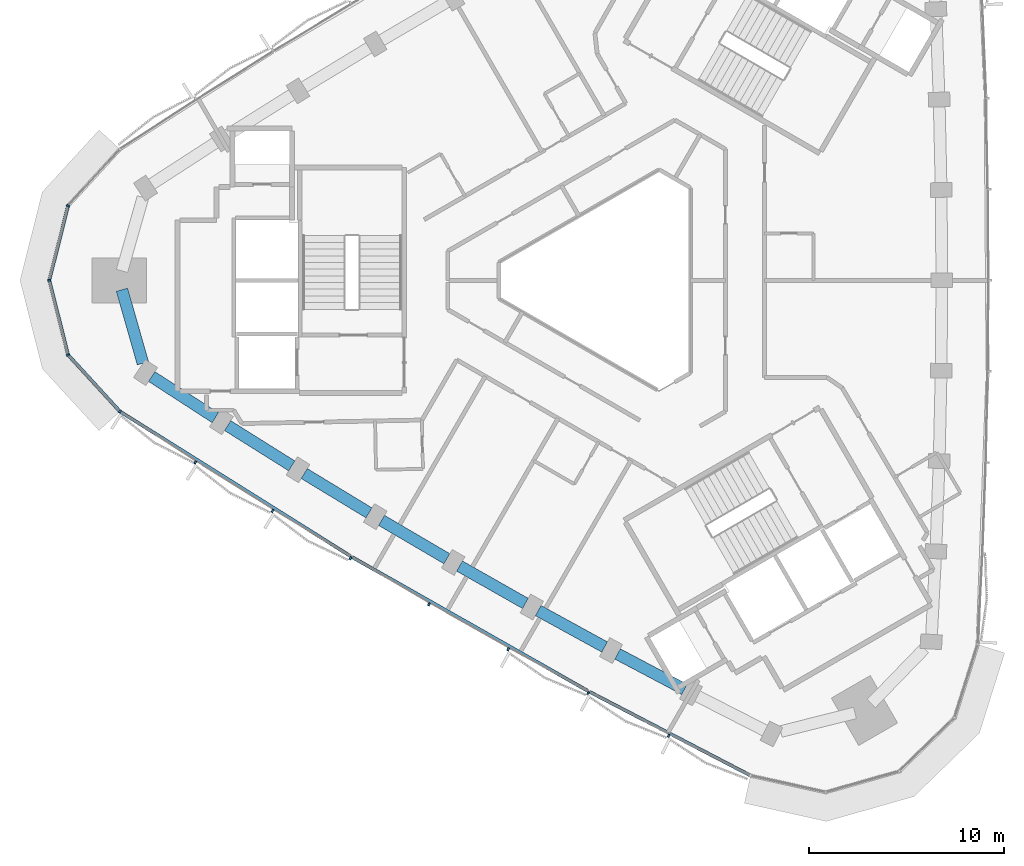
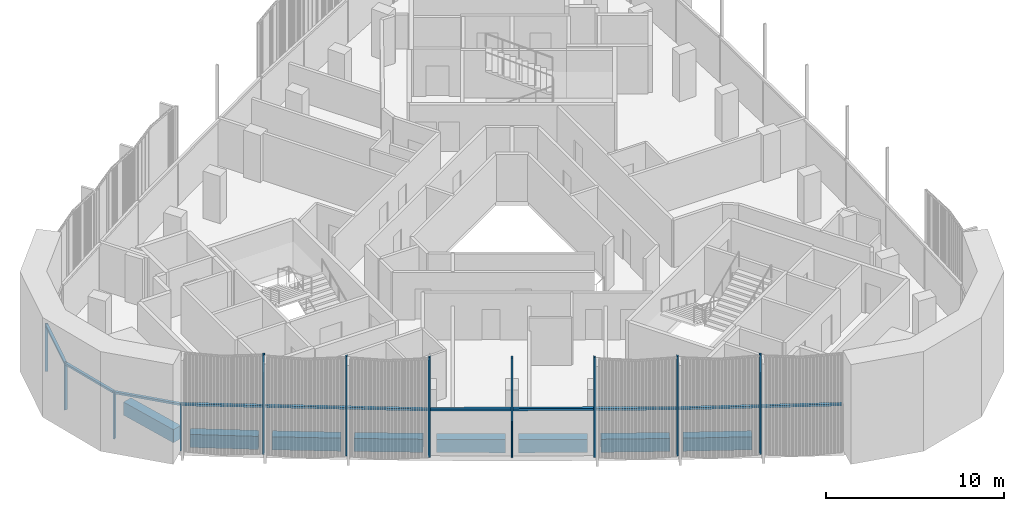
# One storey, part 2 of 16: 17 members, 8 beams, 2 elements without a shape of their own.
"""IFC4 building model written with IfcOpenShell, lengths in metres."""

from ifc_helpers import new_model, si_unit, direction, frame, origin, origin_2d, place, context, subcontext, project, spatial, rectangle, extrude, material, material_profile, profile_set, type_object, element, aggregate, save


model = new_model("IFC4")

# Units and contexts
model_context = context("Model", 3, precision=1e-05, world=origin(), true_north=direction((0.0, 1.0)))
body_context = subcontext(model_context, "Body", "Model", "MODEL_VIEW")
ifc_project = project(units=[si_unit("LENGTHUNIT", "METRE"), si_unit("AREAUNIT", "SQUARE_METRE"), si_unit("VOLUMEUNIT", "CUBIC_METRE"), si_unit("PLANEANGLEUNIT", "RADIAN"), si_unit("MASSUNIT", "GRAM", prefix="KILO")], contexts=[model_context])

# Site, building, storey
site_placement = place(None, origin())
site = spatial("IfcSite", under=ifc_project, at=site_placement, CompositionType="ELEMENT")
building_placement = place(site_placement, origin())
building = spatial("IfcBuilding", under=site, at=building_placement, Name="Tamra Quay Hotel Tower", CompositionType="ELEMENT")
storey_placement = place(building_placement, frame((0.0, 0.0, 232.199951171875)))
storey = spatial("IfcBuildingStorey", under=building, at=storey_placement, Name="L58", CompositionType="ELEMENT", Elevation=232.199951171875)

# Curtain wall, members
ifc_material_1 = material(Name="Aluminium 6063 anodised dark grey", Category="aluminium")
curtain_wall_type_1 = type_object("IfcCurtainWallType", Name="CW2 CURTAIN WALL", PredefinedType="NOTDEFINED", material=ifc_material_1)
curtain_wall_1_placement = place(storey_placement, origin())
curtain_wall_1 = element("IfcCurtainWall", 1, at=curtain_wall_1_placement, inside=storey, type_object=curtain_wall_type_1, Name="CW2 north-west face L58", PredefinedType="NOTDEFINED")
ifc_material_profile_1 = material_profile(ifc_material_1, rectangle(XDim=0.169921875, YDim=0.10009765625, at=origin_2d()), Name="MULLION 100X170")
ifc_profile_set_1 = profile_set([ifc_material_profile_1], Name="Aluminium 6063 anodised dark grey")
member_type_1 = type_object("IfcMemberType", Name="MULLION CW2 Z5", PredefinedType="MULLION", material=ifc_profile_set_1)
member_1_placement = place(storey_placement, frame((-28.0439453125, 3.812744140625, 0.0), z_axis=(0.0, 0.0, 1.0), x_axis=(-0.880266804781, 0.474479032624, 0.0)))
member_1 = element("IfcMember", 2, at=member_1_placement, type_object=member_type_1, Name="CW2 mullion L58.NW.10", PredefinedType="MULLION", context=body_context, shape_type="SweptSolid", body=[
    extrude(rectangle(XDim=0.169921875, YDim=0.10009765625, at=origin_2d()), origin(), (0.0, 0.0, 1.0), 3.25),
])
member_2_placement = place(storey_placement, frame((-29.006103515625, 0.0, 0.0), z_axis=(0.0, 0.0, 1.0), x_axis=(-1.0, 0.0, 0.0)))
member_2 = element("IfcMember", 3, at=member_2_placement, type_object=member_type_1, Name="CW2 mullion L58.NW.11", PredefinedType="MULLION", context=body_context, shape_type="SweptSolid", body=[
    extrude(rectangle(XDim=0.169921875, YDim=0.10009765625, at=origin_2d()), origin(), (0.0, 0.0, 1.0), 3.25),
])
member_3_placement = place(storey_placement, frame((-28.0439453125, -3.812744140625, 0.0), z_axis=(0.0, 0.0, 1.0), x_axis=(-0.880266804781, -0.474479032624, 0.0)))
member_3 = element("IfcMember", 4, at=member_3_placement, type_object=member_type_1, Name="CW2 mullion L58.NW.12", PredefinedType="MULLION", context=body_context, shape_type="SweptSolid", body=[
    extrude(rectangle(XDim=0.169921875, YDim=0.10009765625, at=origin_2d()), origin(), (0.0, 0.0, 1.0), 3.25),
])

curtain_wall_type_2 = type_object("IfcCurtainWallType", Name="CW3 CURTAIN WALL", PredefinedType="NOTDEFINED", material=ifc_material_1)
curtain_wall_2_placement = place(storey_placement, origin())
curtain_wall_2 = element("IfcCurtainWall", 5, at=curtain_wall_2_placement, inside=storey, type_object=curtain_wall_type_2, Name="CW3 south-west face L58", PredefinedType="NOTDEFINED")
ifc_material_profile_2 = material_profile(ifc_material_1, rectangle(XDim=0.169921875, YDim=0.10009765625, at=origin_2d()), Name="MULLION 100X170")
ifc_profile_set_2 = profile_set([ifc_material_profile_2], Name="Aluminium 6063 anodised dark grey")
member_type_2 = type_object("IfcMemberType", Name="MULLION CW3 Z5", PredefinedType="MULLION", material=ifc_profile_set_2)
member_4_placement = place(storey_placement, frame((-25.387939453125, -6.712646484375, 0.0), z_axis=(0.0, 0.0, 1.0), x_axis=(-0.64584626761, -0.763467483665, 0.0)))
member_4 = element("IfcMember", 6, at=member_4_placement, type_object=member_type_2, Name="CW3 mullion L58.SW.1", PredefinedType="MULLION", context=body_context, shape_type="SweptSolid", body=[
    extrude(rectangle(XDim=0.169921875, YDim=0.10009765625, at=origin_2d()), origin(), (0.0, 0.0, 1.0), 3.25),
])
member_5_placement = place(storey_placement, frame((-21.523193359375, -9.318603515625, 0.0), z_axis=(0.0, 0.0, 1.0), x_axis=(-0.537683846902, -0.84314653577, 0.0)))
member_5 = element("IfcMember", 7, at=member_5_placement, type_object=member_type_2, Name="CW3 mullion L58.SW.2", PredefinedType="MULLION", context=body_context, shape_type="SweptSolid", body=[
    extrude(rectangle(XDim=0.169921875, YDim=0.10009765625, at=origin_2d()), origin(), (0.0, 0.0, 1.0), 6.85009765625),
])
member_6_placement = place(storey_placement, frame((-17.573974609375, -11.79638671875, 0.0), z_axis=(0.0, 0.0, 1.0), x_axis=(-0.525248544196, -0.850948862635, 0.0)))
member_6 = element("IfcMember", 8, at=member_6_placement, type_object=member_type_2, Name="CW3 mullion L58.SW.3", PredefinedType="MULLION", context=body_context, shape_type="SweptSolid", body=[
    extrude(rectangle(XDim=0.169921875, YDim=0.10009765625, at=origin_2d()), origin(), (0.0, 0.0, 1.0), 6.85009765625),
])
member_7_placement = place(storey_placement, frame((-13.59033203125, -14.215087890625, 0.0), z_axis=(0.0, 0.0, 1.0), x_axis=(-0.512687551289, -0.858575258643, 0.0)))
member_7 = element("IfcMember", 9, at=member_7_placement, type_object=member_type_2, Name="CW3 mullion L58.SW.4", PredefinedType="MULLION", context=body_context, shape_type="SweptSolid", body=[
    extrude(rectangle(XDim=0.169921875, YDim=0.10009765625, at=origin_2d()), origin(), (0.0, 0.0, 1.0), 6.85009765625),
])
member_8_placement = place(storey_placement, frame((-9.570068359375, -16.575927734375, 0.0), z_axis=(0.0, 0.0, 1.0), x_axis=(-0.5, -0.866025403784, 0.0)))
member_8 = element("IfcMember", 10, at=member_8_placement, type_object=member_type_2, Name="CW3 mullion L58.SW.5", PredefinedType="MULLION", context=body_context, shape_type="SweptSolid", body=[
    extrude(rectangle(XDim=0.169921875, YDim=0.10009765625, at=origin_2d()), origin(), (0.0, 0.0, 1.0), 6.85009765625),
])
member_9_placement = place(storey_placement, frame((-5.515625, -18.877197265625, 0.0), z_axis=(0.0, 0.0, 1.0), x_axis=(-0.487204209401, -0.873288072942, 0.0)))
member_9 = element("IfcMember", 11, at=member_9_placement, type_object=member_type_2, Name="CW3 mullion L58.SW.6", PredefinedType="MULLION", context=body_context, shape_type="SweptSolid", body=[
    extrude(rectangle(XDim=0.169921875, YDim=0.10009765625, at=origin_2d()), origin(), (0.0, 0.0, 1.0), 6.85009765625),
])
member_10_placement = place(storey_placement, frame((-1.428955078125, -21.11767578125, 0.0), z_axis=(0.0, 0.0, 1.0), x_axis=(-0.474319060265, -0.880353013892, 0.0)))
member_10 = element("IfcMember", 12, at=member_10_placement, type_object=member_type_2, Name="CW3 mullion L58.SW.7", PredefinedType="MULLION", context=body_context, shape_type="SweptSolid", body=[
    extrude(rectangle(XDim=0.169921875, YDim=0.10009765625, at=origin_2d()), origin(), (0.0, 0.0, 1.0), 6.85009765625),
])
member_11_placement = place(storey_placement, frame((2.69140625, -23.298828125, 0.0), z_axis=(0.0, 0.0, 1.0), x_axis=(-0.461344395639, -0.887221138507, 0.0)))
member_11 = element("IfcMember", 13, at=member_11_placement, type_object=member_type_2, Name="CW3 mullion L58.SW.8", PredefinedType="MULLION", context=body_context, shape_type="SweptSolid", body=[
    extrude(rectangle(XDim=0.169921875, YDim=0.10009765625, at=origin_2d()), origin(), (0.0, 0.0, 1.0), 6.85009765625),
])

# Beams
ifc_material_2 = material(Name="Concrete M60", Category="concrete")
ifc_material_profile_3 = material_profile(ifc_material_2, rectangle(XDim=0.60009765625, YDim=0.89990234375, at=origin_2d()), Name="SPANDREL BEAM RC 600x900")
ifc_profile_set_3 = profile_set([ifc_material_profile_3], Name="Concrete M60")
beam_type = type_object("IfcBeamType", Name="SPANDREL BEAM RC 600x900", PredefinedType="SPANDREL", material=ifc_profile_set_3)
beam_1_placement = place(storey_placement, frame((-25.28369140625, -0.48046875, -0.800048828125), z_axis=(0.273913429616, -0.961754351732, 0.0), x_axis=(0.961754351732, 0.273913429616, 0.0)))
element("IfcBeam", 14, at=beam_1_placement, inside=storey, type_object=beam_type, Name="BM-SP5-019-L58", PredefinedType="SPANDREL", context=body_context, shape_type="SweptSolid", body=[
    extrude(rectangle(XDim=0.60009765625, YDim=0.89990234375, at=origin_2d()), origin(), (0.0, 0.0, 1.0), 3.912841796875),
])
beam_2_placement = place(storey_placement, frame((-23.76171875, -4.923583984375, -0.800048828125), z_axis=(0.839181205466, -0.543851914029, 0.0), x_axis=(0.543851914029, 0.839181205466, 0.0)))
element("IfcBeam", 15, at=beam_2_placement, inside=storey, type_object=beam_type, Name="BM-SP5-020-L58", PredefinedType="SPANDREL", context=body_context, shape_type="SweptSolid", body=[
    extrude(rectangle(XDim=0.60009765625, YDim=0.89990234375, at=origin_2d()), origin(), (0.0, 0.0, 1.0), 3.87548828125),
])
beam_3_placement = place(storey_placement, frame((-19.877197265625, -7.4345703125, -0.800048828125), z_axis=(0.847066119134, -0.53148752555, 0.0), x_axis=(0.53148752555, 0.847066119134, 0.0)))
element("IfcBeam", 16, at=beam_3_placement, inside=storey, type_object=beam_type, Name="BM-SP5-021-L58", PredefinedType="SPANDREL", context=body_context, shape_type="SweptSolid", body=[
    extrude(rectangle(XDim=0.60009765625, YDim=0.89990234375, at=origin_2d()), origin(), (0.0, 0.0, 1.0), 3.875),
])
beam_4_placement = place(storey_placement, frame((-15.95654296875, -9.887939453125, -0.800048828125), z_axis=(0.854785519234, -0.518981421737, 0.0), x_axis=(0.518981421737, 0.854785519234, 0.0)))
element("IfcBeam", 17, at=beam_4_placement, inside=storey, type_object=beam_type, Name="BM-SP5-022-L58", PredefinedType="SPANDREL", context=body_context, shape_type="SweptSolid", body=[
    extrude(rectangle(XDim=0.60009765625, YDim=0.89990234375, at=origin_2d()), origin(), (0.0, 0.0, 1.0), 3.875732421875),
])
beam_5_placement = place(storey_placement, frame((-11.999755859375, -12.283935546875, -0.800048828125), z_axis=(0.862324287816, -0.506356418585, 0.0), x_axis=(0.506356418585, 0.862324287816, 0.0)))
element("IfcBeam", 18, at=beam_5_placement, inside=storey, type_object=beam_type, Name="BM-SP5-023-L58", PredefinedType="SPANDREL", context=body_context, shape_type="SweptSolid", body=[
    extrude(rectangle(XDim=0.60009765625, YDim=0.89990234375, at=origin_2d()), origin(), (0.0, 0.0, 1.0), 3.875),
])
beam_6_placement = place(storey_placement, frame((-8.008544921875, -14.62109375, -0.800048828125), z_axis=(0.86967787455, -0.493619686113, 0.0), x_axis=(0.493619686113, 0.86967787455, 0.0)))
element("IfcBeam", 19, at=beam_6_placement, inside=storey, type_object=beam_type, Name="BM-SP5-024-L58", PredefinedType="SPANDREL", context=body_context, shape_type="SweptSolid", body=[
    extrude(rectangle(XDim=0.60009765625, YDim=0.89990234375, at=origin_2d()), origin(), (0.0, 0.0, 1.0), 3.875244140625),
])
beam_7_placement = place(storey_placement, frame((-3.9833984375, -16.8994140625, -0.800048828125), z_axis=(0.876838966376, -0.480784179279, 0.0), x_axis=(0.480784179279, 0.876838966376, 0.0)))
element("IfcBeam", 20, at=beam_7_placement, inside=storey, type_object=beam_type, Name="BM-SP5-025-L58", PredefinedType="SPANDREL", context=body_context, shape_type="SweptSolid", body=[
    extrude(rectangle(XDim=0.60009765625, YDim=0.89990234375, at=origin_2d()), origin(), (0.0, 0.0, 1.0), 3.87548828125),
])
beam_8_placement = place(storey_placement, frame((0.0751953125, -19.118408203125, -0.800048828125), z_axis=(0.883803240878, -0.467858772937, 0.0), x_axis=(0.467858772937, 0.883803240878, 0.0)))
element("IfcBeam", 21, at=beam_8_placement, inside=storey, type_object=beam_type, Name="BM-SP5-026-L58", PredefinedType="SPANDREL", context=body_context, shape_type="SweptSolid", body=[
    extrude(rectangle(XDim=0.60009765625, YDim=0.89990234375, at=origin_2d()), origin(), (0.0, 0.0, 1.0), 3.875),
])

# Member
ifc_material_profile_4 = material_profile(ifc_material_1, rectangle(XDim=0.169921875, YDim=0.139892578125, at=origin_2d()), Name="TRANSOM 170X140")
ifc_profile_set_4 = profile_set([ifc_material_profile_4], Name="Aluminium 6063 anodised dark grey")
member_type_3 = type_object("IfcMemberType", Name="TRANSOM CW2 Z5", PredefinedType="USERDEFINED", material=ifc_profile_set_4)
member_12_placement = place(storey_placement, frame((-28.05615234375, 3.764404296875, 3.179931640625), z_axis=(-0.244693523111, -0.969600474292, 0.0), x_axis=(0.969600474292, -0.244693523111, 0.0)))
member_12 = element("IfcMember", 22, at=member_12_placement, type_object=member_type_3, Name="CW2 transom L58.NW.10", ObjectType="TRANSOM", PredefinedType="USERDEFINED", context=body_context, shape_type="SweptSolid", body=[
    extrude(rectangle(XDim=0.169921875, YDim=0.139892578125, at=origin_2d()), origin(), (0.0, 0.0, 1.0), 3.832275390625),
])

member_13_placement = place(storey_placement, frame((-28.993896484375, -0.048583984375, 3.179931640625), z_axis=(0.244693523111, -0.969600474292, 0.0), x_axis=(0.969600474292, 0.244693523111, 0.0)))
member_13 = element("IfcMember", 23, at=member_13_placement, type_object=member_type_3, Name="CW2 transom L58.NW.11", ObjectType="TRANSOM", PredefinedType="USERDEFINED", context=body_context, shape_type="SweptSolid", body=[
    extrude(rectangle(XDim=0.169921875, YDim=0.139892578125, at=origin_2d()), origin(), (0.0, 0.0, 1.0), 3.832275390625),
])

member_14_placement = place(storey_placement, frame((-28.01025390625, -3.849609375, 3.179931640625), z_axis=(0.675436113267, -0.737418508647, 0.0), x_axis=(0.737418508647, 0.675436113267, 0.0)))
member_14 = element("IfcMember", 24, at=member_14_placement, type_object=member_type_3, Name="CW2 transom L58.NW.12", ObjectType="TRANSOM", PredefinedType="USERDEFINED", context=body_context, shape_type="SweptSolid", body=[
    extrude(rectangle(XDim=0.169921875, YDim=0.139892578125, at=origin_2d()), origin(), (0.0, 0.0, 1.0), 3.83251953125),
])

aggregate(curtain_wall_1, [member_1, member_12, member_2, member_13, member_3, member_14])

ifc_material_profile_5 = material_profile(ifc_material_1, rectangle(XDim=0.169921875, YDim=0.139892578125, at=origin_2d()), Name="TRANSOM 170X140")
ifc_profile_set_5 = profile_set([ifc_material_profile_5], Name="Aluminium 6063 anodised dark grey")
member_type_4 = type_object("IfcMemberType", Name="TRANSOM CW3 Z5", PredefinedType="USERDEFINED", material=ifc_profile_set_5)
member_15_placement = place(storey_placement, frame((-25.345947265625, -6.73974609375, 3.179931640625), z_axis=(0.847071037392, -0.531479686923, 0.0), x_axis=(0.531479686923, 0.847071037392, 0.0)))
member_15 = element("IfcMember", 25, at=member_15_placement, type_object=member_type_4, Name="CW3 transom L58.SW.1", ObjectType="TRANSOM", PredefinedType="USERDEFINED", context=body_context, shape_type="SweptSolid", body=[
    extrude(rectangle(XDim=0.169921875, YDim=0.139892578125, at=origin_2d()), origin(), (0.0, 0.0, 1.0), 13.879150390625),
])

member_16_placement = place(storey_placement, frame((-13.503662109375, -14.16748046875, 3.179931640625), z_axis=(0.869680201003, -0.493615587257, 0.0), x_axis=(0.493615587257, 0.869680201003, 0.0)))
member_16 = element("IfcMember", 26, at=member_16_placement, type_object=member_type_4, Name="CW3 transom L58.SW.4", ObjectType="TRANSOM", PredefinedType="USERDEFINED", context=body_context, shape_type="SweptSolid", body=[
    extrude(rectangle(XDim=0.169921875, YDim=0.139892578125, at=origin_2d()), origin(), (0.0, 0.0, 1.0), 13.8798828125),
])

member_17_placement = place(storey_placement, frame((-1.344482421875, -21.06640625, 3.179931640625), z_axis=(0.887229373017, -0.461328559332, 0.0), x_axis=(0.461328559332, 0.887229373017, 0.0)))
member_17 = element("IfcMember", 27, at=member_17_placement, type_object=member_type_4, Name="CW3 transom L58.SW.7", ObjectType="TRANSOM", PredefinedType="USERDEFINED", context=body_context, shape_type="SweptSolid", body=[
    extrude(rectangle(XDim=0.169921875, YDim=0.139892578125, at=origin_2d()), origin(), (0.0, 0.0, 1.0), 9.220458984375),
])

aggregate(curtain_wall_2, [member_4, member_15, member_5, member_6, member_7, member_16, member_8, member_9, member_10, member_17, member_11])

save(model, "model.ifc")
